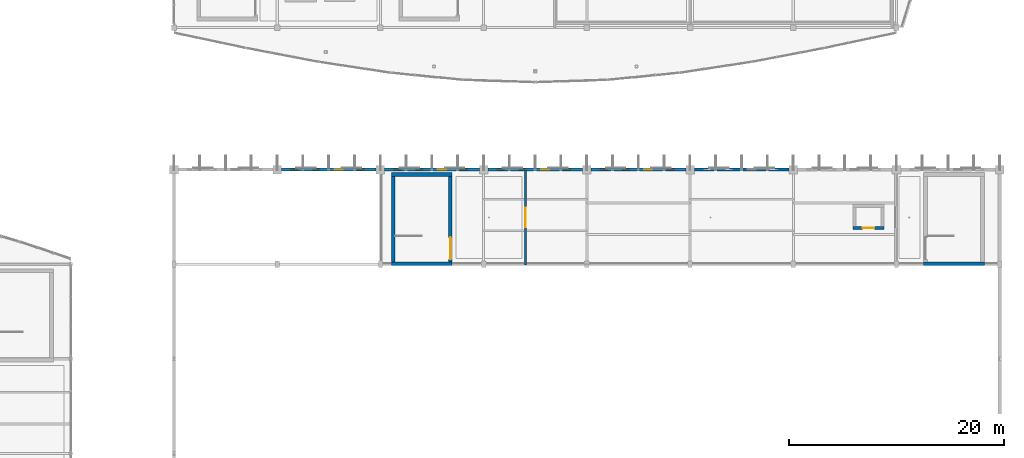
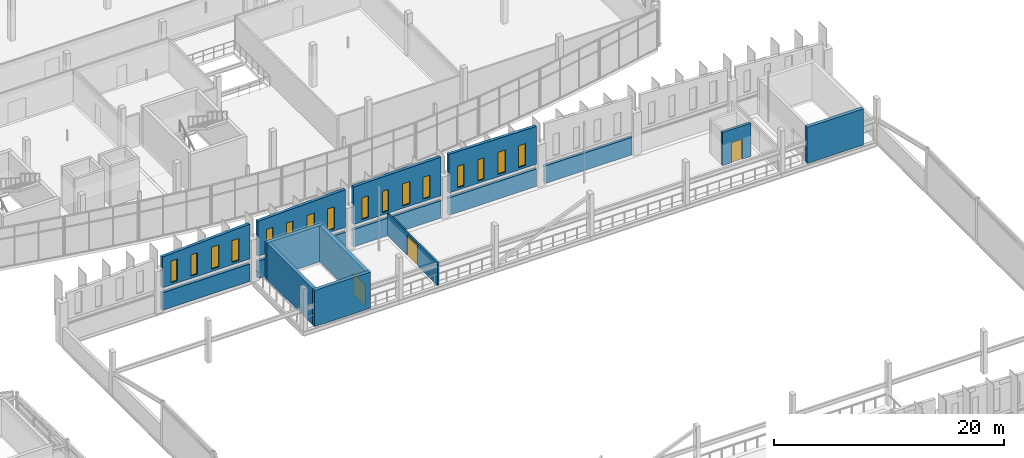
# One storey, part 94 of 114: 16 walls, 16 windows, 3 doors, 19 openings.
"""IFC4 building model written with IfcOpenShell, lengths in metres."""

import ifcopenshell
import ifcopenshell.guid

model = None  # the IFC model being written
_history = None  # IfcOwnerHistory: only IFC2X3 demands one
_inside = {}  # id of a spatial element -> (the spatial element, [elements in it])
_under = {}  # id of a project, library or spatial element -> (it, [spatial elements below it])
_declared = {}  # id of a project -> (the project, [libraries it declares])
_typed = {}  # id of a type object -> (the type object, [elements of that type])
_made_of = {}  # id of a material, layer set ... -> (it, [elements and type objects made of it])


def new_model(schema):
    """Start an empty IFC model of exactly this schema.

    Asked for "IFC4X3", IfcOpenShell would pick the latest addendum, in which some entities
    have other attributes; the version numbers below select the first issue.
    IFC2X3 requires an IfcOwnerHistory on every rooted entity: one is made here for all.
    """
    global model, _history
    if schema == "IFC4X3":
        model = ifcopenshell.file(schema_version=(4, 3, 0, 0))
    else:
        model = ifcopenshell.file(schema=schema)
    _inside.clear()
    _under.clear()
    _declared.clear()
    _typed.clear()
    _made_of.clear()
    _history = None
    if model.schema == "IFC2X3":
        org = make("IfcOrganization", Name="unknown")
        user = make(
            "IfcPersonAndOrganization",
            ThePerson=make("IfcPerson", FamilyName="unknown"),
            TheOrganization=org,
        )
        app = make(
            "IfcApplication",
            ApplicationDeveloper=org,
            Version="unknown",
            ApplicationFullName="unknown",
            ApplicationIdentifier="unknown",
        )
        _history = make(
            "IfcOwnerHistory",
            OwningUser=user,
            OwningApplication=app,
            ChangeAction="ADDED",
            CreationDate=0,
        )
    return model


def make(cls, **values):
    """One entity of the class cls with the attributes given. An attribute that is None is left unset."""
    return model.create_entity(
        cls, **{name: value for name, value in values.items() if value is not None}
    )


def rooted(cls, **values):
    """An entity with a GlobalId (a new one), such as an element, a storey or a relation."""
    return make(cls, GlobalId=ifcopenshell.guid.new(), OwnerHistory=_history, **values)


def si_unit(unit_type, name, prefix=None):
    """IfcSIUnit, for example si_unit("LENGTHUNIT", "METRE", prefix="MILLI")."""
    return make("IfcSIUnit", UnitType=unit_type, Prefix=prefix, Name=name)


def assignment(units):
    """IfcUnitAssignment: the units of a project."""
    return None if units is None else make("IfcUnitAssignment", Units=units)


def point(xyz):
    """IfcCartesianPoint."""
    return None if xyz is None else make("IfcCartesianPoint", Coordinates=xyz)


def direction(xyz):
    """IfcDirection."""
    return None if xyz is None else make("IfcDirection", DirectionRatios=xyz)


def frame(location, z_axis=None, x_axis=None):
    """IfcAxis2Placement3D, a coordinate frame: its origin and axes. An axis left out is left unset."""
    return make(
        "IfcAxis2Placement3D",
        Location=point(location),
        Axis=direction(z_axis),
        RefDirection=direction(x_axis),
    )


def frame_2d(location, x_axis=None):
    """IfcAxis2Placement2D, a coordinate frame in the plane: its origin and x axis."""
    return make(
        "IfcAxis2Placement2D", Location=point(location), RefDirection=direction(x_axis)
    )


def origin():
    """The frame at (0, 0, 0) with its axes left unset."""
    return frame((0.0, 0.0, 0.0))


def place(relative_to, where):
    """IfcLocalPlacement: puts the frame where relative to a parent placement (None: the world)."""
    return make(
        "IfcLocalPlacement", PlacementRelTo=relative_to, RelativePlacement=where
    )


def context(
    kind, dimensions, precision=None, world=None, true_north=None, identifier=None
):
    """IfcGeometricRepresentationContext, for example the 3D "Model" context."""
    return make(
        "IfcGeometricRepresentationContext",
        ContextIdentifier=identifier,
        ContextType=kind,
        CoordinateSpaceDimension=dimensions,
        Precision=precision,
        WorldCoordinateSystem=world,
        TrueNorth=true_north,
    )


def subcontext(parent, identifier, kind, view, scale=None):
    """IfcGeometricRepresentationSubContext, for example "Body" below "Model"."""
    return make(
        "IfcGeometricRepresentationSubContext",
        ContextIdentifier=identifier,
        ContextType=kind,
        ParentContext=parent,
        TargetScale=scale,
        TargetView=view,
    )


def project(units=None, contexts=None):
    """IfcProject with its units and contexts."""
    return rooted(
        "IfcProject",
        Name="project",
        RepresentationContexts=contexts,
        UnitsInContext=assignment(units),
    )


def spatial(cls, under=None, at=None, **own):
    """A site, building, storey or space (cls), placed at a placement, below another one or the project."""
    s = rooted(cls, ObjectPlacement=at, **own)
    if under is not None:
        _under.setdefault(under.id(), (under, []))[1].append(s)
    return s


def polyline(points):
    """IfcPolyline through the points."""
    return make("IfcPolyline", Points=[point(p) for p in points])


def profile(cls, at=None, kind="AREA", **sizes):
    """A parametric profile (cls). Its sizes go by their IFC names, for example OverallWidth=200.0."""
    return make(cls, ProfileType=kind, Position=at, **sizes)


def rectangle(**sizes):
    """IfcRectangleProfileDef."""
    return profile("IfcRectangleProfileDef", **sizes)


def outline(outer, holes=None, kind="AREA"):
    """IfcArbitraryClosedProfileDef: a profile drawn as a closed curve; with holes, ...WithVoids."""
    if holes is None:
        return make("IfcArbitraryClosedProfileDef", ProfileType=kind, OuterCurve=outer)
    return make(
        "IfcArbitraryProfileDefWithVoids",
        ProfileType=kind,
        OuterCurve=outer,
        InnerCurves=holes,
    )


def extrude(swept, where, along, depth):
    """IfcExtrudedAreaSolid: the profile swept, set in the frame where, extruded along a direction by depth."""
    return make(
        "IfcExtrudedAreaSolid",
        SweptArea=swept,
        Position=where,
        ExtrudedDirection=direction(along),
        Depth=depth,
    )


def shape(context_of_items, identifier, shape_type, items):
    """IfcShapeRepresentation: the items that make up one representation, for example the "Body"."""
    return make(
        "IfcShapeRepresentation",
        ContextOfItems=context_of_items,
        RepresentationIdentifier=identifier,
        RepresentationType=shape_type,
        Items=items,
    )


def material(Name=None, Category=None):
    """IfcMaterial."""
    return make("IfcMaterial", Name=Name, Category=Category)


def layer(
    of_material, thickness, ventilated=None, Name=None, Category=None, Priority=None
):
    """IfcMaterialLayer: one layer of a wall or slab, of a material (None: an air gap)."""
    return make(
        "IfcMaterialLayer",
        Material=of_material,
        LayerThickness=thickness,
        IsVentilated=ventilated,
        Name=Name,
        Category=Category,
        Priority=Priority,
    )


def layer_set(layers, Name=None):
    """IfcMaterialLayerSet."""
    return make("IfcMaterialLayerSet", MaterialLayers=layers, LayerSetName=Name)


def made_of(thing, what):
    """Note that an element or type object is made of a material, layer set ...; save() writes the relation."""
    if what is not None:
        _made_of.setdefault(what.id(), (what, []))[1].append(thing)
    return thing


def type_object(cls, material=None, **own):
    """A type object (cls), such as IfcWallType, which elements share."""
    return made_of(rooted(cls, **own), material)


def element(
    cls,
    number,
    at=None,
    inside=None,
    cuts=None,
    type_object=None,
    material=None,
    context=None,
    identifier="Body",
    shape_type=None,
    held_by="IfcProductDefinitionShape",
    body=None,
    shapes=None,
    **own,
):
    """One element of the class cls, such as IfcWall. Its Tag is "e" and its number.

    at: its placement. inside: the storey or other place that contains it. cuts: it is an
    opening in that element (IfcRelVoidsElement). A single representation is given by context,
    identifier, shape_type and body (its items); several are given by shapes. held_by: the class
    of the entity that holds the representations. save() writes the other relations.
    """
    e = rooted(cls, Tag="e%d" % number, ObjectPlacement=at, **own)
    if body is not None:
        shapes = [shape(context, identifier, shape_type, body)]
    if shapes is not None:
        e.Representation = make(held_by, Representations=shapes)
    if inside is not None:
        _inside.setdefault(inside.id(), (inside, []))[1].append(e)
    if cuts is not None:
        rooted(
            "IfcRelVoidsElement", RelatingBuildingElement=cuts, RelatedOpeningElement=e
        )
    if type_object is not None:
        _typed.setdefault(type_object.id(), (type_object, []))[1].append(e)
    return made_of(e, material)


def fill(opening, filler):
    """IfcRelFillsElement: the door or window that sits in an opening."""
    return rooted(
        "IfcRelFillsElement",
        RelatingOpeningElement=opening,
        RelatedBuildingElement=filler,
    )


def aggregate(whole, parts):
    """IfcRelAggregates: a whole, such as a stair, and the parts it consists of."""
    return rooted("IfcRelAggregates", RelatingObject=whole, RelatedObjects=parts)


def save(model, path):
    """Write the relations noted so far, then the file.

    IfcRelAggregates (storeys below a building ...), IfcRelContainedInSpatialStructure (elements
    in a storey), IfcRelDefinesByType, IfcRelAssociatesMaterial and IfcRelDeclares: one each for
    every whole, place, type object, material and project.
    """
    for whole, parts in _under.values():
        aggregate(whole, parts)
    for where, things in _inside.values():
        rooted(
            "IfcRelContainedInSpatialStructure",
            RelatedElements=things,
            RelatingStructure=where,
        )
    for kind, things in _typed.values():
        rooted("IfcRelDefinesByType", RelatedObjects=things, RelatingType=kind)
    for what, things in _made_of.values():
        rooted("IfcRelAssociatesMaterial", RelatedObjects=things, RelatingMaterial=what)
    for by, libraries in _declared.values():
        rooted("IfcRelDeclares", RelatingContext=by, RelatedDefinitions=libraries)
    model.write(path)


model = new_model("IFC4")

# Units and contexts
model_context = context("Model", 3, precision=1e-05, world=origin(), true_north=direction((0.0, 1.0)))
body_context = subcontext(model_context, "Body", "Model", "MODEL_VIEW")
ifc_project = project(units=[si_unit("LENGTHUNIT", "METRE"), si_unit("AREAUNIT", "SQUARE_METRE"), si_unit("VOLUMEUNIT", "CUBIC_METRE"), si_unit("PLANEANGLEUNIT", "RADIAN"), si_unit("MASSUNIT", "GRAM", prefix="KILO")], contexts=[model_context])

# Site, building, storey
site_placement = place(None, origin())
site = spatial("IfcSite", under=ifc_project, at=site_placement, CompositionType="ELEMENT")
building_placement = place(site_placement, origin())
building = spatial("IfcBuilding", under=site, at=building_placement, Name="Chalmorin Arch Market", CompositionType="ELEMENT")
storey_placement = place(building_placement, frame((0.0, 0.0, 9.60009765625)))
storey = spatial("IfcBuildingStorey", under=building, at=storey_placement, Name="L02", CompositionType="ELEMENT", Elevation=9.60009765625)

# Walls
ifc_material_1 = material(Name="Concrete C40/50", Category="concrete")
ifc_layer_1 = layer(ifc_material_1, 0.35009765625)
ifc_layer_set_1 = layer_set([ifc_layer_1], Name="Concrete C40/50")
wall_type_1 = type_object("IfcWallType", Name="CoreShearWall-350", PredefinedType="SHEAR", material=ifc_layer_set_1)
for number, where, z_axis, x_axis, name in (
    (1, (123.375, 50.050048828125, 0.0), (0.0, 0.0, 1.0), (-1.0, 0.0, 0.0), "CSW-350-061"),
    (2, (73.875, 50.050048828125, 0.0), (0.0, 0.0, 1.0), (-1.0, 0.0, 0.0), "CSW-350-137"),
    (3, (68.22509765625, 58.35009765625, 0.0), (0.0, 0.0, 1.0), (1.0, 0.0, 0.0), "CSW-350-138"),
):
    element("IfcWall", number, at=place(storey_placement, frame(where, z_axis=z_axis, x_axis=x_axis)), inside=storey, type_object=wall_type_1, Name=name, PredefinedType="SHEAR", context=body_context, shape_type="SweptSolid", body=[
        extrude(rectangle(XDim=5.64990234375, YDim=0.35009765625, at=frame_2d((2.824951171875, 0.0))), origin(), (0.0, 0.0, 1.0), 3.849853515625),
    ])
wall_1_placement = place(storey_placement, frame((68.39990234375, 50.22509765625, 0.0), z_axis=(0.0, 0.0, 1.0), x_axis=(0.0, 1.0, 0.0)))
element("IfcWall", 4, at=wall_1_placement, inside=storey, type_object=wall_type_1, Name="CSW-350-139", PredefinedType="SHEAR", context=body_context, shape_type="SweptSolid", body=[
    extrude(rectangle(XDim=7.949951171875, YDim=0.35009765625, at=frame_2d((3.97509765625, 0.0))), origin(), (0.0, 0.0, 1.0), 3.849853515625),
])

# Wall, opening, door
wall_2_placement = place(storey_placement, frame((73.699951171875, 58.175048828125, 0.0), z_axis=(0.0, 0.0, 1.0), x_axis=(0.0, -1.0, 0.0)))
wall_2 = element("IfcWall", 5, at=wall_2_placement, inside=storey, type_object=wall_type_1, Name="CSW-350-140", PredefinedType="SHEAR", context=body_context, shape_type="SweptSolid", body=[
    extrude(rectangle(XDim=7.949951171875, YDim=0.35009765625, at=frame_2d((3.97509765625, 0.0))), origin(), (0.0, 0.0, 1.0), 3.849853515625),
])
opening_1_placement = place(wall_2_placement, frame((5.679931640625, 0.0, 0.0)))
opening_1 = element("IfcOpeningElement", 6, at=opening_1_placement, cuts=wall_2, Name="Opening FD-SC8-L02", PredefinedType="OPENING", context=body_context, shape_type="SweptSolid", body=[
    extrude(rectangle(XDim=2.050048828125, YDim=2.14990234375, at=frame_2d((1.02490234375, 1.074951171875))), frame((0.0, 0.18505859375, 0.0), z_axis=(0.0, -1.0, 0.0), x_axis=(1.0, 0.0, 0.0)), (0.0, 0.0, 1.0), 0.3701171875),
])
ifc_material_2 = material(Name="Galvanised Steel", Category="steel")
door_type_1 = type_object("IfcDoorType", Name="DoubleFireExitDoor-2050x2150", OperationType="DOUBLE_DOOR_SINGLE_SWING", PredefinedType="DOOR", material=ifc_material_2)
door_1_placement = place(opening_1_placement, origin())
door_1 = element("IfcDoor", 7, at=door_1_placement, inside=storey, type_object=door_type_1, Name="FD-SC8-L02", OperationType="DOUBLE_DOOR_SINGLE_SWING", OverallHeight=2.14990234375, OverallWidth=2.050048828125, PredefinedType="DOOR", context=body_context, shape_type="SweptSolid", body=[
    extrude(rectangle(XDim=2.050048828125, YDim=2.14990234375, at=frame_2d((1.02490234375, 1.074951171875))), frame((0.0, 0.02490234375, 0.0), z_axis=(0.0, -1.0, 0.0), x_axis=(1.0, 0.0, 0.0)), (0.0, 0.0, 1.0), 0.050048828125),
])
fill(opening_1, door_1)

ifc_material_3 = material(Name="Gypsum Board Partition")
ifc_layer_2 = layer(ifc_material_3, 0.159912109375)
ifc_layer_set_2 = layer_set([ifc_layer_2], Name="Gypsum Board Partition")
wall_type_2 = type_object("IfcWallType", Name="CorridorRatedPartition-160", PredefinedType="PARTITIONING", material=ifc_layer_set_2)
wall_3_placement = place(storey_placement, frame((80.699951171875, 49.949951171875, 0.0), z_axis=(0.0, 0.0, 1.0), x_axis=(0.0, 1.0, 0.0)))
wall_3 = element("IfcWall", 8, at=wall_3_placement, inside=storey, type_object=wall_type_2, Name="CRP-160-536", PredefinedType="PARTITIONING", context=body_context, shape_type="SweptSolid", body=[
    extrude(rectangle(XDim=8.800048828125, YDim=0.159912109375, at=frame_2d((4.39990234375, 0.0))), origin(), (0.0, 0.0, 1.0), 2.39990234375),
])
opening_2_placement = place(wall_3_placement, frame((3.5, 0.0, 0.0)))
opening_2 = element("IfcOpeningElement", 9, at=opening_2_placement, cuts=wall_3, Name="Opening ID-174", PredefinedType="OPENING", context=body_context, shape_type="SweptSolid", body=[
    extrude(rectangle(XDim=1.800048828125, YDim=2.14990234375, at=frame_2d((0.89990234375, 1.074951171875))), frame((0.0, 0.08984375, 0.0), z_axis=(0.0, -1.0, 0.0), x_axis=(1.0, 0.0, 0.0)), (0.0, 0.0, 1.0), 0.179931640625),
])
door_type_2 = type_object("IfcDoorType", Name="CorridorFireDoubleDoor-1800x2150", OperationType="DOUBLE_DOOR_SINGLE_SWING", PredefinedType="DOOR", material=ifc_material_2)
door_2_placement = place(opening_2_placement, origin())
door_2 = element("IfcDoor", 10, at=door_2_placement, inside=storey, type_object=door_type_2, Name="ID-174", OperationType="DOUBLE_DOOR_SINGLE_SWING", OverallHeight=2.14990234375, OverallWidth=1.800048828125, PredefinedType="DOOR", context=body_context, shape_type="SweptSolid", body=[
    extrude(rectangle(XDim=1.800048828125, YDim=2.14990234375, at=frame_2d((0.89990234375, 1.074951171875))), frame((0.0, 0.02490234375, 0.0), z_axis=(0.0, -1.0, 0.0), x_axis=(1.0, 0.0, 0.0)), (0.0, 0.0, 1.0), 0.050048828125),
])
fill(opening_2, door_2)

# Wall
ifc_material_4 = material(Name="Concrete C30/37", Category="concrete")
ifc_layer_3 = layer(ifc_material_4, 0.300048828125)
ifc_layer_set_3 = layer_set([ifc_layer_3], Name="Concrete C30/37")
wall_type_3 = type_object("IfcWallType", Name="ExteriorBackupWall-300", PredefinedType="STANDARD", material=ifc_layer_set_3)
wall_4_placement = place(storey_placement, frame((58.0, 58.800048828125, 0.0), z_axis=(0.0, 0.0, 1.0), x_axis=(1.0, 0.0, 0.0)))
element("IfcWall", 11, at=wall_4_placement, inside=storey, type_object=wall_type_3, Name="EBW-300-081", PredefinedType="STANDARD", context=body_context, shape_type="SweptSolid", body=[
    extrude(rectangle(XDim=8.800048828125, YDim=0.300048828125, at=frame_2d((4.39990234375, 0.0))), origin(), (0.0, 0.0, 1.0), 1.849853515625),
])

# Wall, openings, windows
wall_5_placement = place(storey_placement, frame((58.0, 58.800048828125, 2.3798828125), z_axis=(0.0, 0.0, 1.0), x_axis=(1.0, 0.0, 0.0)))
wall_5 = element("IfcWall", 12, at=wall_5_placement, inside=storey, type_object=wall_type_3, Name="EBW-300-082", PredefinedType="STANDARD", context=body_context, shape_type="SweptSolid", body=[
    extrude(outline(polyline([(0.0, 0.0), (8.800048828125, 0.0), (8.800048828125, 3.70458984375), (0.0, 3.2666015625), (0.0, 0.0)])), frame((0.0, 0.14990234375, 0.0), z_axis=(0.0, -1.0, 0.0), x_axis=(1.0, 0.0, 0.0)), (0.0, 0.0, 1.0), 0.300048828125),
])
opening_3_placement = place(wall_5_placement, frame((0.85009765625, 0.0, 0.25)))
opening_3 = element("IfcOpeningElement", 13, at=opening_3_placement, cuts=wall_5, Name="Opening WN-014", PredefinedType="OPENING", context=body_context, shape_type="SweptSolid", body=[
    extrude(rectangle(XDim=0.669921875, YDim=2.2900390625, at=frame_2d((0.3349609375, 1.14501953125))), frame((0.0, 0.159912109375, 0.0), z_axis=(0.0, -1.0, 0.0), x_axis=(1.0, 0.0, 0.0)), (0.0, 0.0, 1.0), 0.320068359375),
])
opening_4_placement = place(wall_5_placement, frame((2.89990234375, 0.0, 0.25)))
opening_4 = element("IfcOpeningElement", 14, at=opening_4_placement, cuts=wall_5, Name="Opening WN-015", PredefinedType="OPENING", context=body_context, shape_type="SweptSolid", body=[
    extrude(rectangle(XDim=0.6298828125, YDim=2.260009765625, at=frame_2d((0.31494140625, 1.1298828125))), frame((0.0, 0.159912109375, 0.0), z_axis=(0.0, -1.0, 0.0), x_axis=(1.0, 0.0, 0.0)), (0.0, 0.0, 1.0), 0.320068359375),
])
opening_5_placement = place(wall_5_placement, frame((4.949951171875, 0.0, 0.25)))
opening_5 = element("IfcOpeningElement", 15, at=opening_5_placement, cuts=wall_5, Name="Opening WN-016", PredefinedType="OPENING", context=body_context, shape_type="SweptSolid", body=[
    extrude(rectangle(XDim=0.75, YDim=2.35009765625, at=frame_2d((0.375, 1.175048828125))), frame((0.0, 0.159912109375, 0.0), z_axis=(0.0, -1.0, 0.0), x_axis=(1.0, 0.0, 0.0)), (0.0, 0.0, 1.0), 0.320068359375),
])
opening_6_placement = place(wall_5_placement, frame((7.0, 0.0, 0.25)))
opening_6 = element("IfcOpeningElement", 16, at=opening_6_placement, cuts=wall_5, Name="Opening WN-017", PredefinedType="OPENING", context=body_context, shape_type="SweptSolid", body=[
    extrude(rectangle(XDim=0.7099609375, YDim=2.320068359375, at=frame_2d((0.35498046875, 1.16015625))), frame((0.0, 0.159912109375, 0.0), z_axis=(0.0, -1.0, 0.0), x_axis=(1.0, 0.0, 0.0)), (0.0, 0.0, 1.0), 0.320068359375),
])
ifc_material_5 = material(Name="Low-E Tempered Glass", Category="glass")
window_type_1 = type_object("IfcWindowType", Name="ClerestoryLancetWindow-750x4000", PartitioningType="SINGLE_PANEL", PredefinedType="WINDOW", material=ifc_material_5)
window_1_placement = place(opening_5_placement, origin())
window_1 = element("IfcWindow", 17, at=window_1_placement, inside=storey, type_object=window_type_1, Name="WN-016", OverallHeight=2.35009765625, OverallWidth=0.75, PartitioningType="SINGLE_PANEL", PredefinedType="WINDOW", context=body_context, shape_type="SweptSolid", body=[
    extrude(rectangle(XDim=0.75, YDim=2.35009765625, at=frame_2d((0.375, 1.175048828125))), frame((0.0, 0.030029296875, 0.0), z_axis=(0.0, -1.0, 0.0), x_axis=(1.0, 0.0, 0.0)), (0.0, 0.0, 1.0), 0.06005859375),
])
fill(opening_5, window_1)
window_type_2 = type_object("IfcWindowType", Name="ClerestoryLancetWindow-750x4000-630x2260", PartitioningType="SINGLE_PANEL", PredefinedType="WINDOW", material=ifc_material_5)
window_2_placement = place(opening_4_placement, origin())
window_2 = element("IfcWindow", 18, at=window_2_placement, inside=storey, type_object=window_type_2, Name="WN-015", OverallHeight=2.260009765625, OverallWidth=0.6298828125, PartitioningType="SINGLE_PANEL", PredefinedType="WINDOW", context=body_context, shape_type="SweptSolid", body=[
    extrude(rectangle(XDim=0.6298828125, YDim=2.260009765625, at=frame_2d((0.31494140625, 1.1298828125))), frame((0.0, 0.030029296875, 0.0), z_axis=(0.0, -1.0, 0.0), x_axis=(1.0, 0.0, 0.0)), (0.0, 0.0, 1.0), 0.06005859375),
])
fill(opening_4, window_2)
window_type_3 = type_object("IfcWindowType", Name="ClerestoryLancetWindow-750x4000-670x2290", PartitioningType="SINGLE_PANEL", PredefinedType="WINDOW", material=ifc_material_5)
window_3_placement = place(opening_3_placement, origin())
window_3 = element("IfcWindow", 19, at=window_3_placement, inside=storey, type_object=window_type_3, Name="WN-014", OverallHeight=2.2900390625, OverallWidth=0.669921875, PartitioningType="SINGLE_PANEL", PredefinedType="WINDOW", context=body_context, shape_type="SweptSolid", body=[
    extrude(rectangle(XDim=0.669921875, YDim=2.2900390625, at=frame_2d((0.3349609375, 1.14501953125))), frame((0.0, 0.030029296875, 0.0), z_axis=(0.0, -1.0, 0.0), x_axis=(1.0, 0.0, 0.0)), (0.0, 0.0, 1.0), 0.06005859375),
])
fill(opening_3, window_3)
window_type_4 = type_object("IfcWindowType", Name="ClerestoryLancetWindow-750x4000-710x2320", PartitioningType="SINGLE_PANEL", PredefinedType="WINDOW", material=ifc_material_5)
window_4_placement = place(opening_6_placement, origin())
window_4 = element("IfcWindow", 20, at=window_4_placement, inside=storey, type_object=window_type_4, Name="WN-017", OverallHeight=2.320068359375, OverallWidth=0.7099609375, PartitioningType="SINGLE_PANEL", PredefinedType="WINDOW", context=body_context, shape_type="SweptSolid", body=[
    extrude(rectangle(XDim=0.7099609375, YDim=2.320068359375, at=frame_2d((0.35498046875, 1.16015625))), frame((0.0, 0.030029296875, 0.0), z_axis=(0.0, -1.0, 0.0), x_axis=(1.0, 0.0, 0.0)), (0.0, 0.0, 1.0), 0.06005859375),
])
fill(opening_6, window_4)

# Wall
wall_6_placement = place(storey_placement, frame((67.60009765625, 58.800048828125, 0.0), z_axis=(0.0, 0.0, 1.0), x_axis=(1.0, 0.0, 0.0)))
element("IfcWall", 21, at=wall_6_placement, inside=storey, type_object=wall_type_3, Name="EBW-300-086", PredefinedType="STANDARD", context=body_context, shape_type="SweptSolid", body=[
    extrude(rectangle(XDim=8.7998046875, YDim=0.300048828125, at=frame_2d((4.39990234375, 0.0))), origin(), (0.0, 0.0, 1.0), 1.849853515625),
])

# Wall, openings, windows
wall_7_placement = place(storey_placement, frame((67.60009765625, 58.800048828125, 2.3798828125), z_axis=(0.0, 0.0, 1.0), x_axis=(1.0, 0.0, 0.0)))
wall_7 = element("IfcWall", 22, at=wall_7_placement, inside=storey, type_object=wall_type_3, Name="EBW-300-087", PredefinedType="STANDARD", context=body_context, shape_type="SweptSolid", body=[
    extrude(outline(polyline([(0.0, 0.0), (8.7998046875, 0.0), (8.800048828125, 3.997314453125), (0.0, 3.70458984375), (0.0, 0.0)])), frame((0.0, 0.14990234375, 0.0), z_axis=(0.0, -1.0, 0.0), x_axis=(1.0, 0.0, 0.0)), (0.0, 0.0, 1.0), 0.300048828125),
])
opening_7_placement = place(wall_7_placement, frame((0.85009765625, 0.0, 0.25)))
opening_7 = element("IfcOpeningElement", 23, at=opening_7_placement, cuts=wall_7, Name="Opening WN-022", PredefinedType="OPENING", context=body_context, shape_type="SweptSolid", body=[
    extrude(rectangle(XDim=0.669921875, YDim=2.2900390625, at=frame_2d((0.3349609375, 1.14501953125))), frame((0.0, 0.159912109375, 0.0), z_axis=(0.0, -1.0, 0.0), x_axis=(1.0, 0.0, 0.0)), (0.0, 0.0, 1.0), 0.320068359375),
])
opening_8_placement = place(wall_7_placement, frame((2.89990234375, 0.0, 0.25)))
opening_8 = element("IfcOpeningElement", 24, at=opening_8_placement, cuts=wall_7, Name="Opening WN-023", PredefinedType="OPENING", context=body_context, shape_type="SweptSolid", body=[
    extrude(rectangle(XDim=0.6298828125, YDim=2.260009765625, at=frame_2d((0.31494140625, 1.1298828125))), frame((0.0, 0.159912109375, 0.0), z_axis=(0.0, -1.0, 0.0), x_axis=(1.0, 0.0, 0.0)), (0.0, 0.0, 1.0), 0.320068359375),
])
opening_9_placement = place(wall_7_placement, frame((4.949951171875, 0.0, 0.25)))
opening_9 = element("IfcOpeningElement", 25, at=opening_9_placement, cuts=wall_7, Name="Opening WN-024", PredefinedType="OPENING", context=body_context, shape_type="SweptSolid", body=[
    extrude(rectangle(XDim=0.75, YDim=2.35009765625, at=frame_2d((0.375, 1.175048828125))), frame((0.0, 0.159912109375, 0.0), z_axis=(0.0, -1.0, 0.0), x_axis=(1.0, 0.0, 0.0)), (0.0, 0.0, 1.0), 0.320068359375),
])
opening_10_placement = place(wall_7_placement, frame((7.0, 0.0, 0.25)))
opening_10 = element("IfcOpeningElement", 26, at=opening_10_placement, cuts=wall_7, Name="Opening WN-025", PredefinedType="OPENING", context=body_context, shape_type="SweptSolid", body=[
    extrude(rectangle(XDim=0.7099609375, YDim=2.320068359375, at=frame_2d((0.35498046875, 1.16015625))), frame((0.0, 0.159912109375, 0.0), z_axis=(0.0, -1.0, 0.0), x_axis=(1.0, 0.0, 0.0)), (0.0, 0.0, 1.0), 0.320068359375),
])
window_5_placement = place(opening_9_placement, origin())
window_5 = element("IfcWindow", 27, at=window_5_placement, inside=storey, type_object=window_type_1, Name="WN-024", OverallHeight=2.35009765625, OverallWidth=0.75, PartitioningType="SINGLE_PANEL", PredefinedType="WINDOW", context=body_context, shape_type="SweptSolid", body=[
    extrude(rectangle(XDim=0.75, YDim=2.35009765625, at=frame_2d((0.375, 1.175048828125))), frame((0.0, 0.030029296875, 0.0), z_axis=(0.0, -1.0, 0.0), x_axis=(1.0, 0.0, 0.0)), (0.0, 0.0, 1.0), 0.06005859375),
])
fill(opening_9, window_5)
window_6_placement = place(opening_8_placement, origin())
window_6 = element("IfcWindow", 28, at=window_6_placement, inside=storey, type_object=window_type_2, Name="WN-023", OverallHeight=2.260009765625, OverallWidth=0.6298828125, PartitioningType="SINGLE_PANEL", PredefinedType="WINDOW", context=body_context, shape_type="SweptSolid", body=[
    extrude(rectangle(XDim=0.6298828125, YDim=2.260009765625, at=frame_2d((0.31494140625, 1.1298828125))), frame((0.0, 0.030029296875, 0.0), z_axis=(0.0, -1.0, 0.0), x_axis=(1.0, 0.0, 0.0)), (0.0, 0.0, 1.0), 0.06005859375),
])
fill(opening_8, window_6)
window_7_placement = place(opening_7_placement, origin())
window_7 = element("IfcWindow", 29, at=window_7_placement, inside=storey, type_object=window_type_3, Name="WN-022", OverallHeight=2.2900390625, OverallWidth=0.669921875, PartitioningType="SINGLE_PANEL", PredefinedType="WINDOW", context=body_context, shape_type="SweptSolid", body=[
    extrude(rectangle(XDim=0.669921875, YDim=2.2900390625, at=frame_2d((0.3349609375, 1.14501953125))), frame((0.0, 0.030029296875, 0.0), z_axis=(0.0, -1.0, 0.0), x_axis=(1.0, 0.0, 0.0)), (0.0, 0.0, 1.0), 0.06005859375),
])
fill(opening_7, window_7)
window_8_placement = place(opening_10_placement, origin())
window_8 = element("IfcWindow", 30, at=window_8_placement, inside=storey, type_object=window_type_4, Name="WN-025", OverallHeight=2.320068359375, OverallWidth=0.7099609375, PartitioningType="SINGLE_PANEL", PredefinedType="WINDOW", context=body_context, shape_type="SweptSolid", body=[
    extrude(rectangle(XDim=0.7099609375, YDim=2.320068359375, at=frame_2d((0.35498046875, 1.16015625))), frame((0.0, 0.030029296875, 0.0), z_axis=(0.0, -1.0, 0.0), x_axis=(1.0, 0.0, 0.0)), (0.0, 0.0, 1.0), 0.06005859375),
])
fill(opening_10, window_8)

# Wall
wall_8_placement = place(storey_placement, frame((77.199951171875, 58.800048828125, 0.0), z_axis=(0.0, 0.0, 1.0), x_axis=(1.0, 0.0, 0.0)))
element("IfcWall", 31, at=wall_8_placement, inside=storey, type_object=wall_type_3, Name="EBW-300-091", PredefinedType="STANDARD", context=body_context, shape_type="SweptSolid", body=[
    extrude(rectangle(XDim=8.800048828125, YDim=0.300048828125, at=frame_2d((4.39990234375, 0.0))), origin(), (0.0, 0.0, 1.0), 1.849853515625),
])

# Wall, openings, windows
wall_9_placement = place(storey_placement, frame((77.199951171875, 58.800048828125, 2.3798828125), z_axis=(0.0, 0.0, 1.0), x_axis=(1.0, 0.0, 0.0)))
wall_9 = element("IfcWall", 32, at=wall_9_placement, inside=storey, type_object=wall_type_3, Name="EBW-300-092", PredefinedType="STANDARD", context=body_context, shape_type="SweptSolid", body=[
    extrude(outline(polyline([(0.0, 0.0), (8.800048828125, 0.0), (8.800048828125, 4.10009765625), (0.0, 3.997314453125), (0.0, 0.0)])), frame((0.0, 0.14990234375, 0.0), z_axis=(0.0, -1.0, 0.0), x_axis=(1.0, 0.0, 0.0)), (0.0, 0.0, 1.0), 0.300048828125),
])
opening_11_placement = place(wall_9_placement, frame((0.85009765625, 0.0, 0.25)))
opening_11 = element("IfcOpeningElement", 33, at=opening_11_placement, cuts=wall_9, Name="Opening WN-030", PredefinedType="OPENING", context=body_context, shape_type="SweptSolid", body=[
    extrude(rectangle(XDim=0.669921875, YDim=2.2900390625, at=frame_2d((0.3349609375, 1.14501953125))), frame((0.0, 0.159912109375, 0.0), z_axis=(0.0, -1.0, 0.0), x_axis=(1.0, 0.0, 0.0)), (0.0, 0.0, 1.0), 0.320068359375),
])
opening_12_placement = place(wall_9_placement, frame((2.89990234375, 0.0, 0.25)))
opening_12 = element("IfcOpeningElement", 34, at=opening_12_placement, cuts=wall_9, Name="Opening WN-031", PredefinedType="OPENING", context=body_context, shape_type="SweptSolid", body=[
    extrude(rectangle(XDim=0.6298828125, YDim=2.260009765625, at=frame_2d((0.31494140625, 1.1298828125))), frame((0.0, 0.159912109375, 0.0), z_axis=(0.0, -1.0, 0.0), x_axis=(1.0, 0.0, 0.0)), (0.0, 0.0, 1.0), 0.320068359375),
])
opening_13_placement = place(wall_9_placement, frame((4.949951171875, 0.0, 0.25)))
opening_13 = element("IfcOpeningElement", 35, at=opening_13_placement, cuts=wall_9, Name="Opening WN-032", PredefinedType="OPENING", context=body_context, shape_type="SweptSolid", body=[
    extrude(rectangle(XDim=0.75, YDim=2.35009765625, at=frame_2d((0.375, 1.175048828125))), frame((0.0, 0.159912109375, 0.0), z_axis=(0.0, -1.0, 0.0), x_axis=(1.0, 0.0, 0.0)), (0.0, 0.0, 1.0), 0.320068359375),
])
opening_14_placement = place(wall_9_placement, frame((7.0, 0.0, 0.25)))
opening_14 = element("IfcOpeningElement", 36, at=opening_14_placement, cuts=wall_9, Name="Opening WN-033", PredefinedType="OPENING", context=body_context, shape_type="SweptSolid", body=[
    extrude(rectangle(XDim=0.7099609375, YDim=2.320068359375, at=frame_2d((0.35498046875, 1.16015625))), frame((0.0, 0.159912109375, 0.0), z_axis=(0.0, -1.0, 0.0), x_axis=(1.0, 0.0, 0.0)), (0.0, 0.0, 1.0), 0.320068359375),
])
window_9_placement = place(opening_13_placement, origin())
window_9 = element("IfcWindow", 37, at=window_9_placement, inside=storey, type_object=window_type_1, Name="WN-032", OverallHeight=2.35009765625, OverallWidth=0.75, PartitioningType="SINGLE_PANEL", PredefinedType="WINDOW", context=body_context, shape_type="SweptSolid", body=[
    extrude(rectangle(XDim=0.75, YDim=2.35009765625, at=frame_2d((0.375, 1.175048828125))), frame((0.0, 0.030029296875, 0.0), z_axis=(0.0, -1.0, 0.0), x_axis=(1.0, 0.0, 0.0)), (0.0, 0.0, 1.0), 0.06005859375),
])
fill(opening_13, window_9)
window_10_placement = place(opening_12_placement, origin())
window_10 = element("IfcWindow", 38, at=window_10_placement, inside=storey, type_object=window_type_2, Name="WN-031", OverallHeight=2.260009765625, OverallWidth=0.6298828125, PartitioningType="SINGLE_PANEL", PredefinedType="WINDOW", context=body_context, shape_type="SweptSolid", body=[
    extrude(rectangle(XDim=0.6298828125, YDim=2.260009765625, at=frame_2d((0.31494140625, 1.1298828125))), frame((0.0, 0.030029296875, 0.0), z_axis=(0.0, -1.0, 0.0), x_axis=(1.0, 0.0, 0.0)), (0.0, 0.0, 1.0), 0.06005859375),
])
fill(opening_12, window_10)
window_11_placement = place(opening_11_placement, origin())
window_11 = element("IfcWindow", 39, at=window_11_placement, inside=storey, type_object=window_type_3, Name="WN-030", OverallHeight=2.2900390625, OverallWidth=0.669921875, PartitioningType="SINGLE_PANEL", PredefinedType="WINDOW", context=body_context, shape_type="SweptSolid", body=[
    extrude(rectangle(XDim=0.669921875, YDim=2.2900390625, at=frame_2d((0.3349609375, 1.14501953125))), frame((0.0, 0.030029296875, 0.0), z_axis=(0.0, -1.0, 0.0), x_axis=(1.0, 0.0, 0.0)), (0.0, 0.0, 1.0), 0.06005859375),
])
fill(opening_11, window_11)
window_12_placement = place(opening_14_placement, origin())
window_12 = element("IfcWindow", 40, at=window_12_placement, inside=storey, type_object=window_type_4, Name="WN-033", OverallHeight=2.320068359375, OverallWidth=0.7099609375, PartitioningType="SINGLE_PANEL", PredefinedType="WINDOW", context=body_context, shape_type="SweptSolid", body=[
    extrude(rectangle(XDim=0.7099609375, YDim=2.320068359375, at=frame_2d((0.35498046875, 1.16015625))), frame((0.0, 0.030029296875, 0.0), z_axis=(0.0, -1.0, 0.0), x_axis=(1.0, 0.0, 0.0)), (0.0, 0.0, 1.0), 0.06005859375),
])
fill(opening_14, window_12)

# Wall
wall_10_placement = place(storey_placement, frame((86.800048828125, 58.800048828125, 0.0), z_axis=(0.0, 0.0, 1.0), x_axis=(1.0, 0.0, 0.0)))
element("IfcWall", 41, at=wall_10_placement, inside=storey, type_object=wall_type_3, Name="EBW-300-096", PredefinedType="STANDARD", context=body_context, shape_type="SweptSolid", body=[
    extrude(rectangle(XDim=8.800048828125, YDim=0.300048828125, at=frame_2d((4.39990234375, 0.0))), origin(), (0.0, 0.0, 1.0), 1.849853515625),
])

# Wall, openings, windows
wall_11_placement = place(storey_placement, frame((86.800048828125, 58.800048828125, 2.3798828125), z_axis=(0.0, 0.0, 1.0), x_axis=(1.0, 0.0, 0.0)))
wall_11 = element("IfcWall", 42, at=wall_11_placement, inside=storey, type_object=wall_type_3, Name="EBW-300-097", PredefinedType="STANDARD", context=body_context, shape_type="SweptSolid", body=[
    extrude(outline(polyline([(0.0, 0.0), (8.800048828125, 0.0), (8.800048828125, 3.997314453125), (0.0, 4.10009765625), (0.0, 0.0)])), frame((0.0, 0.14990234375, 0.0), z_axis=(0.0, -1.0, 0.0), x_axis=(1.0, 0.0, 0.0)), (0.0, 0.0, 1.0), 0.300048828125),
])
opening_15_placement = place(wall_11_placement, frame((0.85009765625, 0.0, 0.25)))
opening_15 = element("IfcOpeningElement", 43, at=opening_15_placement, cuts=wall_11, Name="Opening WN-038", PredefinedType="OPENING", context=body_context, shape_type="SweptSolid", body=[
    extrude(rectangle(XDim=0.669921875, YDim=2.2900390625, at=frame_2d((0.3349609375, 1.14501953125))), frame((0.0, 0.159912109375, 0.0), z_axis=(0.0, -1.0, 0.0), x_axis=(1.0, 0.0, 0.0)), (0.0, 0.0, 1.0), 0.320068359375),
])
opening_16_placement = place(wall_11_placement, frame((2.89990234375, 0.0, 0.25)))
opening_16 = element("IfcOpeningElement", 44, at=opening_16_placement, cuts=wall_11, Name="Opening WN-039", PredefinedType="OPENING", context=body_context, shape_type="SweptSolid", body=[
    extrude(rectangle(XDim=0.6298828125, YDim=2.260009765625, at=frame_2d((0.31494140625, 1.1298828125))), frame((0.0, 0.159912109375, 0.0), z_axis=(0.0, -1.0, 0.0), x_axis=(1.0, 0.0, 0.0)), (0.0, 0.0, 1.0), 0.320068359375),
])
opening_17_placement = place(wall_11_placement, frame((4.949951171875, 0.0, 0.25)))
opening_17 = element("IfcOpeningElement", 45, at=opening_17_placement, cuts=wall_11, Name="Opening WN-040", PredefinedType="OPENING", context=body_context, shape_type="SweptSolid", body=[
    extrude(rectangle(XDim=0.75, YDim=2.35009765625, at=frame_2d((0.375, 1.175048828125))), frame((0.0, 0.159912109375, 0.0), z_axis=(0.0, -1.0, 0.0), x_axis=(1.0, 0.0, 0.0)), (0.0, 0.0, 1.0), 0.320068359375),
])
opening_18_placement = place(wall_11_placement, frame((7.0, 0.0, 0.25)))
opening_18 = element("IfcOpeningElement", 46, at=opening_18_placement, cuts=wall_11, Name="Opening WN-041", PredefinedType="OPENING", context=body_context, shape_type="SweptSolid", body=[
    extrude(rectangle(XDim=0.7099609375, YDim=2.320068359375, at=frame_2d((0.35498046875, 1.16015625))), frame((0.0, 0.159912109375, 0.0), z_axis=(0.0, -1.0, 0.0), x_axis=(1.0, 0.0, 0.0)), (0.0, 0.0, 1.0), 0.320068359375),
])
window_13_placement = place(opening_17_placement, origin())
window_13 = element("IfcWindow", 47, at=window_13_placement, inside=storey, type_object=window_type_1, Name="WN-040", OverallHeight=2.35009765625, OverallWidth=0.75, PartitioningType="SINGLE_PANEL", PredefinedType="WINDOW", context=body_context, shape_type="SweptSolid", body=[
    extrude(rectangle(XDim=0.75, YDim=2.35009765625, at=frame_2d((0.375, 1.175048828125))), frame((0.0, 0.030029296875, 0.0), z_axis=(0.0, -1.0, 0.0), x_axis=(1.0, 0.0, 0.0)), (0.0, 0.0, 1.0), 0.06005859375),
])
fill(opening_17, window_13)
window_14_placement = place(opening_16_placement, origin())
window_14 = element("IfcWindow", 48, at=window_14_placement, inside=storey, type_object=window_type_2, Name="WN-039", OverallHeight=2.260009765625, OverallWidth=0.6298828125, PartitioningType="SINGLE_PANEL", PredefinedType="WINDOW", context=body_context, shape_type="SweptSolid", body=[
    extrude(rectangle(XDim=0.6298828125, YDim=2.260009765625, at=frame_2d((0.31494140625, 1.1298828125))), frame((0.0, 0.030029296875, 0.0), z_axis=(0.0, -1.0, 0.0), x_axis=(1.0, 0.0, 0.0)), (0.0, 0.0, 1.0), 0.06005859375),
])
fill(opening_16, window_14)
window_15_placement = place(opening_15_placement, origin())
window_15 = element("IfcWindow", 49, at=window_15_placement, inside=storey, type_object=window_type_3, Name="WN-038", OverallHeight=2.2900390625, OverallWidth=0.669921875, PartitioningType="SINGLE_PANEL", PredefinedType="WINDOW", context=body_context, shape_type="SweptSolid", body=[
    extrude(rectangle(XDim=0.669921875, YDim=2.2900390625, at=frame_2d((0.3349609375, 1.14501953125))), frame((0.0, 0.030029296875, 0.0), z_axis=(0.0, -1.0, 0.0), x_axis=(1.0, 0.0, 0.0)), (0.0, 0.0, 1.0), 0.06005859375),
])
fill(opening_15, window_15)
window_16_placement = place(opening_18_placement, origin())
window_16 = element("IfcWindow", 50, at=window_16_placement, inside=storey, type_object=window_type_4, Name="WN-041", OverallHeight=2.320068359375, OverallWidth=0.7099609375, PartitioningType="SINGLE_PANEL", PredefinedType="WINDOW", context=body_context, shape_type="SweptSolid", body=[
    extrude(rectangle(XDim=0.7099609375, YDim=2.320068359375, at=frame_2d((0.35498046875, 1.16015625))), frame((0.0, 0.030029296875, 0.0), z_axis=(0.0, -1.0, 0.0), x_axis=(1.0, 0.0, 0.0)), (0.0, 0.0, 1.0), 0.06005859375),
])
fill(opening_18, window_16)

# Wall
wall_12_placement = place(storey_placement, frame((96.39990234375, 58.800048828125, 0.0), z_axis=(0.0, 0.0, 1.0), x_axis=(1.0, 0.0, 0.0)))
element("IfcWall", 51, at=wall_12_placement, inside=storey, type_object=wall_type_3, Name="EBW-300-101", PredefinedType="STANDARD", context=body_context, shape_type="SweptSolid", body=[
    extrude(rectangle(XDim=8.800048828125, YDim=0.300048828125, at=frame_2d((4.39990234375, 0.0))), origin(), (0.0, 0.0, 1.0), 1.849853515625),
])

# Wall, opening, door
ifc_material_6 = material(Name="Concrete C35/45", Category="concrete")
ifc_layer_4 = layer(ifc_material_6, 0.25)
ifc_layer_set_4 = layer_set([ifc_layer_4], Name="Concrete C35/45")
wall_type_4 = type_object("IfcWallType", Name="ShaftEnclosureWall-250", PredefinedType="SOLIDWALL", material=ifc_layer_set_4)
wall_13_placement = place(storey_placement, frame((114.02490234375, 53.375, 0.0), z_axis=(0.0, 0.0, 1.0), x_axis=(-1.0, 0.0, 0.0)))
wall_13 = element("IfcWall", 52, at=wall_13_placement, inside=storey, type_object=wall_type_4, Name="SEW-250-258", PredefinedType="SOLIDWALL", context=body_context, shape_type="SweptSolid", body=[
    extrude(rectangle(XDim=2.849853515625, YDim=0.25, at=frame_2d((1.4248046875, 0.0))), origin(), (0.0, 0.0, 1.0), 3.5498046875),
])
opening_19_placement = place(wall_13_placement, frame((0.875, 0.0, 0.0)))
opening_19 = element("IfcOpeningElement", 53, at=opening_19_placement, cuts=wall_13, Name="Opening LD-LF-P3-L02", PredefinedType="OPENING", context=body_context, shape_type="SweptSolid", body=[
    extrude(rectangle(XDim=1.10009765625, YDim=2.14990234375, at=frame_2d((0.550048828125, 1.074951171875))), frame((0.0, 0.135009765625, 0.0), z_axis=(0.0, -1.0, 0.0), x_axis=(1.0, 0.0, 0.0)), (0.0, 0.0, 1.0), 0.27001953125),
])
ifc_material_7 = material(Name="Stainless Steel 316", Category="steel")
door_type_3 = type_object("IfcDoorType", Name="LiftLandingSlidingDoor-1100x2150", OperationType="DOUBLE_DOOR_SLIDING", PredefinedType="DOOR", material=ifc_material_7)
door_3_placement = place(opening_19_placement, origin())
door_3 = element("IfcDoor", 54, at=door_3_placement, inside=storey, type_object=door_type_3, Name="LD-LF-P3-L02", OperationType="DOUBLE_DOOR_SLIDING", OverallHeight=2.14990234375, OverallWidth=1.10009765625, PredefinedType="DOOR", context=body_context, shape_type="SweptSolid", body=[
    extrude(rectangle(XDim=1.10009765625, YDim=2.14990234375, at=frame_2d((0.550048828125, 1.074951171875))), frame((0.0, 0.02490234375, 0.0), z_axis=(0.0, -1.0, 0.0), x_axis=(1.0, 0.0, 0.0)), (0.0, 0.0, 1.0), 0.050048828125),
])
fill(opening_19, door_3)

save(model, "model.ifc")
